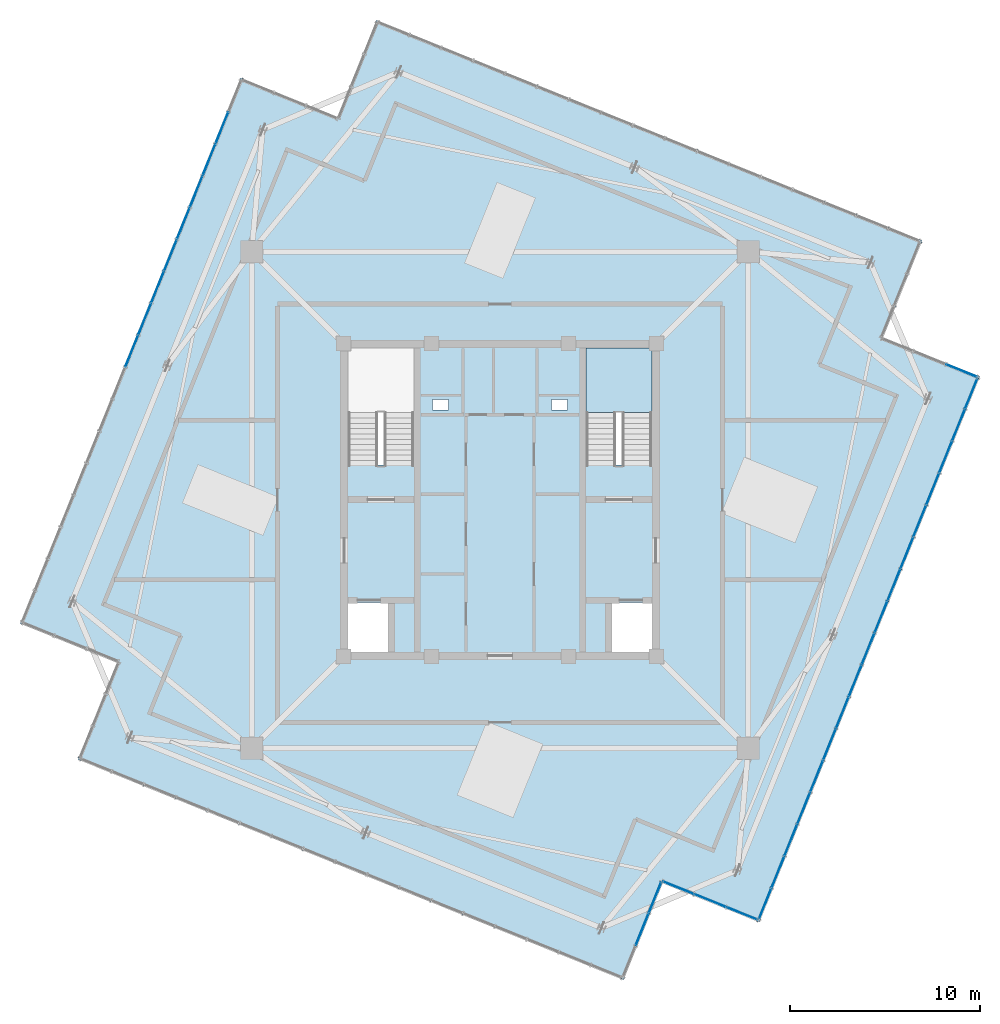
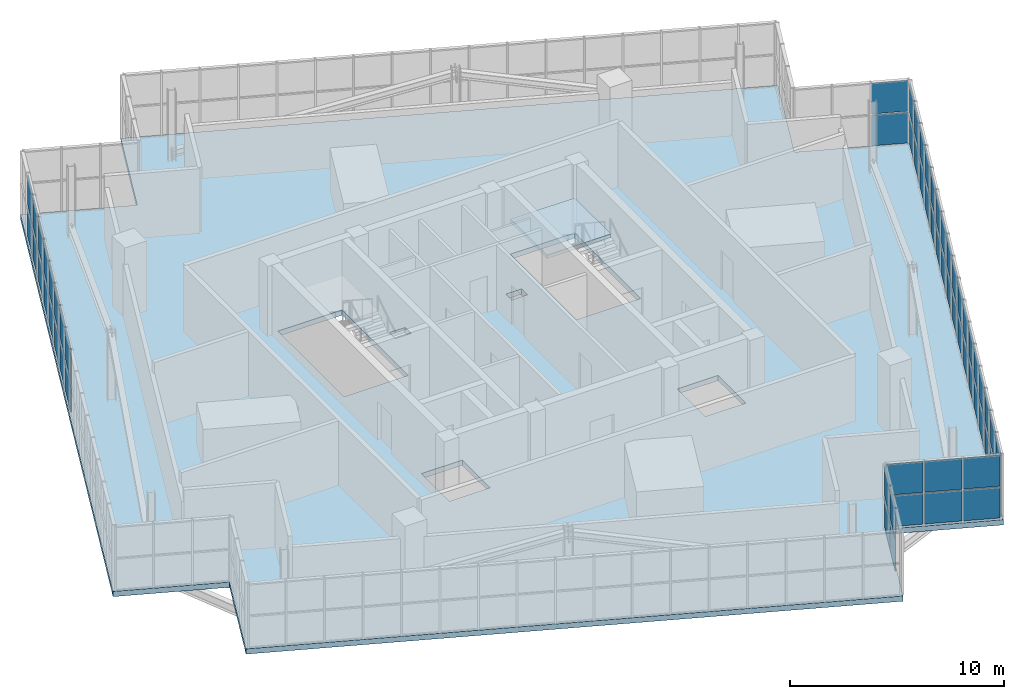
# One storey, part 19 of 26: 62 plates, 2 slabs, 6 elements without a shape of their own.
"""IFC4 building model written with IfcOpenShell, lengths in metres."""

from ifc_helpers import new_model, si_unit, direction, frame, origin, origin_2d, place, context, subcontext, project, spatial, polyline, rectangle, outline, extrude, source, transform, mapped, material, layer, layer_set, type_object, element, aggregate, save


model = new_model("IFC4")

# Units and contexts
model_context = context("Model", 3, precision=1e-05, world=origin(), true_north=direction((0.0, 1.0)))
body_context = subcontext(model_context, "Body", "Model", "MODEL_VIEW")
ifc_project = project(units=[si_unit("LENGTHUNIT", "METRE"), si_unit("AREAUNIT", "SQUARE_METRE"), si_unit("VOLUMEUNIT", "CUBIC_METRE"), si_unit("PLANEANGLEUNIT", "RADIAN"), si_unit("MASSUNIT", "GRAM", prefix="KILO"), si_unit("THERMODYNAMICTEMPERATUREUNIT", "KELVIN")], contexts=[model_context])

# Site, building, storey
site_placement = place(None, origin())
site = spatial("IfcSite", under=ifc_project, at=site_placement, CompositionType="ELEMENT")
building_placement = place(site_placement, origin())
building = spatial("IfcBuilding", under=site, at=building_placement, Name="Kosmvard Interchange Tower", CompositionType="ELEMENT")
storey_placement = place(building_placement, frame((0.0, 0.0, 337.60009765625)))
storey = spatial("IfcBuildingStorey", under=building, at=storey_placement, Name="L83", CompositionType="ELEMENT", Elevation=337.60009765625)

# Slab
ifc_material_1 = material(Name="Concrete C50/60", Category="concrete")
ifc_layer_1 = layer(ifc_material_1, 0.300048828125, Name="Concrete C50/60")
ifc_layer_set_1 = layer_set([ifc_layer_1], Name="Concrete C50/60")
slab_type_1 = type_object("IfcSlabType", Name="Crown Plant Equipment Slab 300 C50/60", PredefinedType="FLOOR", material=ifc_layer_set_1)
slab_1_placement = place(storey_placement, frame((0.0, 0.0, -0.300048828125)))
element("IfcSlab", 1, at=slab_1_placement, inside=storey, type_object=slab_type_1, Name="L83 Structural Floor Slab", PredefinedType="FLOOR", context=body_context, shape_type="SweptSolid", body=[
    extrude(outline(polyline([(13.66455078125, -22.238037109375), (25.27734375, 6.504638671875), (20.177734375, 8.56494140625), (22.238037109375, 13.66455078125), (-6.504638671875, 25.27734375), (-8.56494140625, 20.177734375), (-13.66455078125, 22.238037109375), (-25.27734375, -6.504638671875), (-20.177734375, -8.56494140625), (-22.238037109375, -13.66455078125), (6.504638671875, -25.27734375), (8.56494140625, -20.177734375), (13.66455078125, -22.238037109375)]), holes=[polyline([(-8.0, 1.8349609375), (-4.5400390625, 1.8349609375), (-4.5400390625, 8.0), (-8.0, 8.0), (-8.0, 1.8349609375)]), polyline([(4.5400390625, 1.8349609375), (8.0, 1.8349609375), (8.0, 8.0), (4.5400390625, 8.0), (4.5400390625, 1.8349609375)]), polyline([(-8.0, -8.0), (-5.800048828125, -8.0), (-5.800048828125, -5.39990234375), (-8.0, -5.39990234375), (-8.0, -8.0)]), polyline([(5.800048828125, -8.0), (8.0, -8.0), (8.0, -5.39990234375), (5.800048828125, -5.39990234375), (5.800048828125, -8.0)]), polyline([(-3.56494140625, 4.739990234375), (-2.715087890625, 4.739990234375), (-2.715087890625, 5.2900390625), (-3.56494140625, 5.2900390625), (-3.56494140625, 4.739990234375)]), polyline([(2.715087890625, 4.739990234375), (3.56494140625, 4.739990234375), (3.56494140625, 5.2900390625), (2.715087890625, 5.2900390625), (2.715087890625, 4.739990234375)])]), origin(), (0.0, 0.0, 1.0), 0.300048828125),
])

# Stair, slab
stair_type = type_object("IfcStairType", Name="Dog-Leg Core Exit Stair H4000 C50/60", PredefinedType="HALF_TURN_STAIR", material=ifc_material_1)
stair_placement = place(storey_placement, origin())
stair = element("IfcStair", 2, at=stair_placement, inside=storey, type_object=stair_type, Name="L83 Protected Exit Stair ST-2", PredefinedType="HALF_TURN_STAIR")
ifc_layer_2 = layer(ifc_material_1, 0.199951171875, Name="Concrete C50/60")
ifc_layer_set_2 = layer_set([ifc_layer_2], Name="Concrete C50/60")
slab_type_2 = type_object("IfcSlabType", Name="Stair Half-Landing Slab 200 C50/60", PredefinedType="LANDING", material=ifc_layer_set_2)
slab_2_placement = place(storey_placement, frame((0.0, 0.0, 1.7998046875)))
slab_2 = element("IfcSlab", 3, at=slab_2_placement, type_object=slab_type_2, Name="ST-2 landing 1", PredefinedType="LANDING", context=body_context, shape_type="SweptSolid", body=[
    extrude(outline(polyline([(8.0, 4.60009765625), (8.0, 8.0), (4.5400390625, 8.0), (4.5400390625, 4.60009765625), (8.0, 4.60009765625)])), origin(), (0.0, 0.0, 1.0), 0.2001953125),
])
aggregate(stair, [slab_2])

# Curtain wall, plates
ifc_material_2 = material(Name="Architectural anodised aluminium", Category="aluminium")
ifc_layer_3 = layer(ifc_material_2, 0.25, Name="Architectural anodised aluminium")
ifc_layer_set_3 = layer_set([ifc_layer_3], Name="Architectural anodised aluminium")
curtain_wall_type = type_object("IfcCurtainWallType", Name="CW-6 Illuminated Crown Lantern Curtain Wall", PredefinedType="NOTDEFINED", material=ifc_layer_set_3)
curtain_wall_1_placement = place(storey_placement, origin())
curtain_wall_1 = element("IfcCurtainWall", 4, at=curtain_wall_1_placement, inside=storey, type_object=curtain_wall_type, Name="L83 Crown Lantern Glazing Face 01", PredefinedType="NOTDEFINED")
ifc_material_3 = material(Name="Laminated acoustic lantern glazing", Category="glass")
ifc_layer_4 = layer(ifc_material_3, 0.035888671875, Name="Laminated acoustic lantern glazing")
ifc_layer_set_4 = layer_set([ifc_layer_4], Name="Laminated acoustic lantern glazing")
plate_type = type_object("IfcPlateType", Name="Lantern Diffused Illuminated Panel 36", PredefinedType="CURTAIN_PANEL", material=ifc_layer_set_4)
shared_shape_1 = source(origin(), body_context, "Body", "SweptSolid", [
    extrude(rectangle(XDim=1.694091796875, YDim=0.035888671875, at=origin_2d()), origin(), (0.0, 0.0, 1.0), 1.7451171875),
])
plate_1_placement = place(storey_placement, frame((13.967529296875, -21.2744140625, 0.06982421875), z_axis=(0.0, 0.0, 1.0), x_axis=(0.374606584758, 0.927183858065, 0.0)))
plate_1 = element("IfcPlate", 5, at=plate_1_placement, type_object=plate_type, Name="CW-6 panel 1.1", PredefinedType="CURTAIN_PANEL", context=body_context, shape_type="MappedRepresentation", body=[
    mapped(shared_shape_1, transform((0.0, 0.0, 0.0), scale=1.0)),
])
plate_2_placement = place(storey_placement, frame((13.967529296875, -21.2744140625, 1.884765625), z_axis=(0.0, 0.0, 1.0), x_axis=(0.374606584758, 0.927183858065, 0.0)))
plate_2 = element("IfcPlate", 6, at=plate_2_placement, type_object=plate_type, Name="CW-6 panel 1.2", PredefinedType="CURTAIN_PANEL", context=body_context, shape_type="MappedRepresentation", body=[
    mapped(shared_shape_1, transform((0.0, 0.0, 0.0), scale=1.0)),
])
plate_3_placement = place(storey_placement, frame((24.825927734375, 5.600830078125, 0.06982421875), z_axis=(0.0, 0.0, 1.0), x_axis=(0.374606584758, 0.927183858065, 0.0)))
plate_3 = element("IfcPlate", 7, at=plate_3_placement, type_object=plate_type, Name="CW-6 panel 17.1", PredefinedType="CURTAIN_PANEL", context=body_context, shape_type="MappedRepresentation", body=[
    mapped(shared_shape_1, transform((0.0, 0.0, 0.0), scale=1.0)),
])
plate_4_placement = place(storey_placement, frame((24.825927734375, 5.600830078125, 1.884765625), z_axis=(0.0, 0.0, 1.0), x_axis=(0.374606584758, 0.927183858065, 0.0)))
plate_4 = element("IfcPlate", 8, at=plate_4_placement, type_object=plate_type, Name="CW-6 panel 17.2", PredefinedType="CURTAIN_PANEL", context=body_context, shape_type="MappedRepresentation", body=[
    mapped(shared_shape_1, transform((0.0, 0.0, 0.0), scale=1.0)),
])
shared_shape_2 = source(origin(), body_context, "Body", "SweptSolid", [
    extrude(rectangle(XDim=1.734130859375, YDim=0.035888671875, at=origin_2d()), origin(), (0.0, 0.0, 1.0), 1.7451171875),
])
plate_5_placement = place(storey_placement, frame((14.6396484375, -19.61083984375, 0.06982421875), z_axis=(0.0, 0.0, 1.0), x_axis=(0.374606584758, 0.927183858065, 0.0)))
plate_5 = element("IfcPlate", 9, at=plate_5_placement, type_object=plate_type, Name="CW-6 panel 2.1", PredefinedType="CURTAIN_PANEL", context=body_context, shape_type="MappedRepresentation", body=[
    mapped(shared_shape_2, transform((0.0, 0.0, 0.0), scale=1.0)),
])
plate_6_placement = place(storey_placement, frame((14.6396484375, -19.61083984375, 1.884765625), z_axis=(0.0, 0.0, 1.0), x_axis=(0.374606584758, 0.927183858065, 0.0)))
plate_6 = element("IfcPlate", 10, at=plate_6_placement, type_object=plate_type, Name="CW-6 panel 2.2", PredefinedType="CURTAIN_PANEL", context=body_context, shape_type="MappedRepresentation", body=[
    mapped(shared_shape_2, transform((0.0, 0.0, 0.0), scale=1.0)),
])
plate_7_placement = place(storey_placement, frame((15.319091796875, -17.928955078125, 0.06982421875), z_axis=(0.0, 0.0, 1.0), x_axis=(0.374606584758, 0.927183858065, 0.0)))
plate_7 = element("IfcPlate", 11, at=plate_7_placement, type_object=plate_type, Name="CW-6 panel 3.1", PredefinedType="CURTAIN_PANEL", context=body_context, shape_type="MappedRepresentation", body=[
    mapped(shared_shape_2, transform((0.0, 0.0, 0.0), scale=1.0)),
])
plate_8_placement = place(storey_placement, frame((15.319091796875, -17.928955078125, 1.884765625), z_axis=(0.0, 0.0, 1.0), x_axis=(0.374606584758, 0.927183858065, 0.0)))
plate_8 = element("IfcPlate", 12, at=plate_8_placement, type_object=plate_type, Name="CW-6 panel 3.2", PredefinedType="CURTAIN_PANEL", context=body_context, shape_type="MappedRepresentation", body=[
    mapped(shared_shape_2, transform((0.0, 0.0, 0.0), scale=1.0)),
])
plate_9_placement = place(storey_placement, frame((15.998779296875, -16.246826171875, 0.06982421875), z_axis=(0.0, 0.0, 1.0), x_axis=(0.374606584758, 0.927183858065, 0.0)))
plate_9 = element("IfcPlate", 13, at=plate_9_placement, type_object=plate_type, Name="CW-6 panel 4.1", PredefinedType="CURTAIN_PANEL", context=body_context, shape_type="MappedRepresentation", body=[
    mapped(shared_shape_2, transform((0.0, 0.0, 0.0), scale=1.0)),
])
plate_10_placement = place(storey_placement, frame((15.998779296875, -16.246826171875, 1.884765625), z_axis=(0.0, 0.0, 1.0), x_axis=(0.374606584758, 0.927183858065, 0.0)))
plate_10 = element("IfcPlate", 14, at=plate_10_placement, type_object=plate_type, Name="CW-6 panel 4.2", PredefinedType="CURTAIN_PANEL", context=body_context, shape_type="MappedRepresentation", body=[
    mapped(shared_shape_2, transform((0.0, 0.0, 0.0), scale=1.0)),
])
plate_11_placement = place(storey_placement, frame((16.678466796875, -14.56494140625, 0.06982421875), z_axis=(0.0, 0.0, 1.0), x_axis=(0.374606584758, 0.927183858065, 0.0)))
plate_11 = element("IfcPlate", 15, at=plate_11_placement, type_object=plate_type, Name="CW-6 panel 5.1", PredefinedType="CURTAIN_PANEL", context=body_context, shape_type="MappedRepresentation", body=[
    mapped(shared_shape_2, transform((0.0, 0.0, 0.0), scale=1.0)),
])
plate_12_placement = place(storey_placement, frame((16.678466796875, -14.56494140625, 1.884765625), z_axis=(0.0, 0.0, 1.0), x_axis=(0.374606584758, 0.927183858065, 0.0)))
plate_12 = element("IfcPlate", 16, at=plate_12_placement, type_object=plate_type, Name="CW-6 panel 5.2", PredefinedType="CURTAIN_PANEL", context=body_context, shape_type="MappedRepresentation", body=[
    mapped(shared_shape_2, transform((0.0, 0.0, 0.0), scale=1.0)),
])
plate_13_placement = place(storey_placement, frame((17.35791015625, -12.8828125, 0.06982421875), z_axis=(0.0, 0.0, 1.0), x_axis=(0.374606584758, 0.927183858065, 0.0)))
plate_13 = element("IfcPlate", 17, at=plate_13_placement, type_object=plate_type, Name="CW-6 panel 6.1", PredefinedType="CURTAIN_PANEL", context=body_context, shape_type="MappedRepresentation", body=[
    mapped(shared_shape_2, transform((0.0, 0.0, 0.0), scale=1.0)),
])
plate_14_placement = place(storey_placement, frame((17.35791015625, -12.8828125, 1.884765625), z_axis=(0.0, 0.0, 1.0), x_axis=(0.374606584758, 0.927183858065, 0.0)))
plate_14 = element("IfcPlate", 18, at=plate_14_placement, type_object=plate_type, Name="CW-6 panel 6.2", PredefinedType="CURTAIN_PANEL", context=body_context, shape_type="MappedRepresentation", body=[
    mapped(shared_shape_2, transform((0.0, 0.0, 0.0), scale=1.0)),
])
plate_15_placement = place(storey_placement, frame((18.03759765625, -11.200927734375, 0.06982421875), z_axis=(0.0, 0.0, 1.0), x_axis=(0.374606584758, 0.927183858065, 0.0)))
plate_15 = element("IfcPlate", 19, at=plate_15_placement, type_object=plate_type, Name="CW-6 panel 7.1", PredefinedType="CURTAIN_PANEL", context=body_context, shape_type="MappedRepresentation", body=[
    mapped(shared_shape_2, transform((0.0, 0.0, 0.0), scale=1.0)),
])
plate_16_placement = place(storey_placement, frame((18.03759765625, -11.200927734375, 1.884765625), z_axis=(0.0, 0.0, 1.0), x_axis=(0.374606584758, 0.927183858065, 0.0)))
plate_16 = element("IfcPlate", 20, at=plate_16_placement, type_object=plate_type, Name="CW-6 panel 7.2", PredefinedType="CURTAIN_PANEL", context=body_context, shape_type="MappedRepresentation", body=[
    mapped(shared_shape_2, transform((0.0, 0.0, 0.0), scale=1.0)),
])
plate_17_placement = place(storey_placement, frame((18.717041015625, -9.518798828125, 0.06982421875), z_axis=(0.0, 0.0, 1.0), x_axis=(0.374606584758, 0.927183858065, 0.0)))
plate_17 = element("IfcPlate", 21, at=plate_17_placement, type_object=plate_type, Name="CW-6 panel 8.1", PredefinedType="CURTAIN_PANEL", context=body_context, shape_type="MappedRepresentation", body=[
    mapped(shared_shape_2, transform((0.0, 0.0, 0.0), scale=1.0)),
])
plate_18_placement = place(storey_placement, frame((18.717041015625, -9.518798828125, 1.884765625), z_axis=(0.0, 0.0, 1.0), x_axis=(0.374606584758, 0.927183858065, 0.0)))
plate_18 = element("IfcPlate", 22, at=plate_18_placement, type_object=plate_type, Name="CW-6 panel 8.2", PredefinedType="CURTAIN_PANEL", context=body_context, shape_type="MappedRepresentation", body=[
    mapped(shared_shape_2, transform((0.0, 0.0, 0.0), scale=1.0)),
])
plate_19_placement = place(storey_placement, frame((19.396728515625, -7.836669921875, 0.06982421875), z_axis=(0.0, 0.0, 1.0), x_axis=(0.374606584758, 0.927183858065, 0.0)))
plate_19 = element("IfcPlate", 23, at=plate_19_placement, type_object=plate_type, Name="CW-6 panel 9.1", PredefinedType="CURTAIN_PANEL", context=body_context, shape_type="MappedRepresentation", body=[
    mapped(shared_shape_2, transform((0.0, 0.0, 0.0), scale=1.0)),
])
plate_20_placement = place(storey_placement, frame((19.396728515625, -7.836669921875, 1.884765625), z_axis=(0.0, 0.0, 1.0), x_axis=(0.374606584758, 0.927183858065, 0.0)))
plate_20 = element("IfcPlate", 24, at=plate_20_placement, type_object=plate_type, Name="CW-6 panel 9.2", PredefinedType="CURTAIN_PANEL", context=body_context, shape_type="MappedRepresentation", body=[
    mapped(shared_shape_2, transform((0.0, 0.0, 0.0), scale=1.0)),
])
plate_21_placement = place(storey_placement, frame((20.076171875, -6.15478515625, 0.06982421875), z_axis=(0.0, 0.0, 1.0), x_axis=(0.374606584758, 0.927183858065, 0.0)))
plate_21 = element("IfcPlate", 25, at=plate_21_placement, type_object=plate_type, Name="CW-6 panel 10.1", PredefinedType="CURTAIN_PANEL", context=body_context, shape_type="MappedRepresentation", body=[
    mapped(shared_shape_2, transform((0.0, 0.0, 0.0), scale=1.0)),
])
plate_22_placement = place(storey_placement, frame((20.076171875, -6.15478515625, 1.884765625), z_axis=(0.0, 0.0, 1.0), x_axis=(0.374606584758, 0.927183858065, 0.0)))
plate_22 = element("IfcPlate", 26, at=plate_22_placement, type_object=plate_type, Name="CW-6 panel 10.2", PredefinedType="CURTAIN_PANEL", context=body_context, shape_type="MappedRepresentation", body=[
    mapped(shared_shape_2, transform((0.0, 0.0, 0.0), scale=1.0)),
])
plate_23_placement = place(storey_placement, frame((20.755859375, -4.47265625, 0.06982421875), z_axis=(0.0, 0.0, 1.0), x_axis=(0.374606584758, 0.927183858065, 0.0)))
plate_23 = element("IfcPlate", 27, at=plate_23_placement, type_object=plate_type, Name="CW-6 panel 11.1", PredefinedType="CURTAIN_PANEL", context=body_context, shape_type="MappedRepresentation", body=[
    mapped(shared_shape_2, transform((0.0, 0.0, 0.0), scale=1.0)),
])
plate_24_placement = place(storey_placement, frame((20.755859375, -4.47265625, 1.884765625), z_axis=(0.0, 0.0, 1.0), x_axis=(0.374606584758, 0.927183858065, 0.0)))
plate_24 = element("IfcPlate", 28, at=plate_24_placement, type_object=plate_type, Name="CW-6 panel 11.2", PredefinedType="CURTAIN_PANEL", context=body_context, shape_type="MappedRepresentation", body=[
    mapped(shared_shape_2, transform((0.0, 0.0, 0.0), scale=1.0)),
])
plate_25_placement = place(storey_placement, frame((21.435546875, -2.790771484375, 0.06982421875), z_axis=(0.0, 0.0, 1.0), x_axis=(0.374606584758, 0.927183858065, 0.0)))
plate_25 = element("IfcPlate", 29, at=plate_25_placement, type_object=plate_type, Name="CW-6 panel 12.1", PredefinedType="CURTAIN_PANEL", context=body_context, shape_type="MappedRepresentation", body=[
    mapped(shared_shape_2, transform((0.0, 0.0, 0.0), scale=1.0)),
])
plate_26_placement = place(storey_placement, frame((21.435546875, -2.790771484375, 1.884765625), z_axis=(0.0, 0.0, 1.0), x_axis=(0.374606584758, 0.927183858065, 0.0)))
plate_26 = element("IfcPlate", 30, at=plate_26_placement, type_object=plate_type, Name="CW-6 panel 12.2", PredefinedType="CURTAIN_PANEL", context=body_context, shape_type="MappedRepresentation", body=[
    mapped(shared_shape_2, transform((0.0, 0.0, 0.0), scale=1.0)),
])
plate_27_placement = place(storey_placement, frame((22.114990234375, -1.108642578125, 0.06982421875), z_axis=(0.0, 0.0, 1.0), x_axis=(0.374606584758, 0.927183858065, 0.0)))
plate_27 = element("IfcPlate", 31, at=plate_27_placement, type_object=plate_type, Name="CW-6 panel 13.1", PredefinedType="CURTAIN_PANEL", context=body_context, shape_type="MappedRepresentation", body=[
    mapped(shared_shape_2, transform((0.0, 0.0, 0.0), scale=1.0)),
])
plate_28_placement = place(storey_placement, frame((22.114990234375, -1.108642578125, 1.884765625), z_axis=(0.0, 0.0, 1.0), x_axis=(0.374606584758, 0.927183858065, 0.0)))
plate_28 = element("IfcPlate", 32, at=plate_28_placement, type_object=plate_type, Name="CW-6 panel 13.2", PredefinedType="CURTAIN_PANEL", context=body_context, shape_type="MappedRepresentation", body=[
    mapped(shared_shape_2, transform((0.0, 0.0, 0.0), scale=1.0)),
])
plate_29_placement = place(storey_placement, frame((22.794677734375, 0.5732421875, 0.06982421875), z_axis=(0.0, 0.0, 1.0), x_axis=(0.374606584758, 0.927183858065, 0.0)))
plate_29 = element("IfcPlate", 33, at=plate_29_placement, type_object=plate_type, Name="CW-6 panel 14.1", PredefinedType="CURTAIN_PANEL", context=body_context, shape_type="MappedRepresentation", body=[
    mapped(shared_shape_2, transform((0.0, 0.0, 0.0), scale=1.0)),
])
plate_30_placement = place(storey_placement, frame((22.794677734375, 0.5732421875, 1.884765625), z_axis=(0.0, 0.0, 1.0), x_axis=(0.374606584758, 0.927183858065, 0.0)))
plate_30 = element("IfcPlate", 34, at=plate_30_placement, type_object=plate_type, Name="CW-6 panel 14.2", PredefinedType="CURTAIN_PANEL", context=body_context, shape_type="MappedRepresentation", body=[
    mapped(shared_shape_2, transform((0.0, 0.0, 0.0), scale=1.0)),
])
plate_31_placement = place(storey_placement, frame((23.47412109375, 2.25537109375, 0.06982421875), z_axis=(0.0, 0.0, 1.0), x_axis=(0.374606584758, 0.927183858065, 0.0)))
plate_31 = element("IfcPlate", 35, at=plate_31_placement, type_object=plate_type, Name="CW-6 panel 15.1", PredefinedType="CURTAIN_PANEL", context=body_context, shape_type="MappedRepresentation", body=[
    mapped(shared_shape_2, transform((0.0, 0.0, 0.0), scale=1.0)),
])
plate_32_placement = place(storey_placement, frame((23.47412109375, 2.25537109375, 1.884765625), z_axis=(0.0, 0.0, 1.0), x_axis=(0.374606584758, 0.927183858065, 0.0)))
plate_32 = element("IfcPlate", 36, at=plate_32_placement, type_object=plate_type, Name="CW-6 panel 15.2", PredefinedType="CURTAIN_PANEL", context=body_context, shape_type="MappedRepresentation", body=[
    mapped(shared_shape_2, transform((0.0, 0.0, 0.0), scale=1.0)),
])
plate_33_placement = place(storey_placement, frame((24.15380859375, 3.937255859375, 0.06982421875), z_axis=(0.0, 0.0, 1.0), x_axis=(0.374606584758, 0.927183858065, 0.0)))
plate_33 = element("IfcPlate", 37, at=plate_33_placement, type_object=plate_type, Name="CW-6 panel 16.1", PredefinedType="CURTAIN_PANEL", context=body_context, shape_type="MappedRepresentation", body=[
    mapped(shared_shape_2, transform((0.0, 0.0, 0.0), scale=1.0)),
])
plate_34_placement = place(storey_placement, frame((24.15380859375, 3.937255859375, 1.884765625), z_axis=(0.0, 0.0, 1.0), x_axis=(0.374606584758, 0.927183858065, 0.0)))
plate_34 = element("IfcPlate", 38, at=plate_34_placement, type_object=plate_type, Name="CW-6 panel 16.2", PredefinedType="CURTAIN_PANEL", context=body_context, shape_type="MappedRepresentation", body=[
    mapped(shared_shape_2, transform((0.0, 0.0, 0.0), scale=1.0)),
])
aggregate(curtain_wall_1, [plate_1, plate_2, plate_5, plate_6, plate_7, plate_8, plate_9, plate_10, plate_11, plate_12, plate_13, plate_14, plate_15, plate_16, plate_17, plate_18, plate_19, plate_20, plate_21, plate_22, plate_23, plate_24, plate_25, plate_26, plate_27, plate_28, plate_29, plate_30, plate_31, plate_32, plate_33, plate_34, plate_3, plate_4])

curtain_wall_2_placement = place(storey_placement, origin())
curtain_wall_2 = element("IfcCurtainWall", 39, at=curtain_wall_2_placement, inside=storey, type_object=curtain_wall_type, Name="L83 Crown Lantern Glazing Face 07", PredefinedType="NOTDEFINED")
plate_35_placement = place(storey_placement, frame((-14.6396484375, 19.61083984375, 0.06982421875), z_axis=(0.0, 0.0, 1.0), x_axis=(-0.374606584758, -0.927183858065, 0.0)))
plate_35 = element("IfcPlate", 40, at=plate_35_placement, type_object=plate_type, Name="CW-6 panel 2.1", PredefinedType="CURTAIN_PANEL", context=body_context, shape_type="MappedRepresentation", body=[
    mapped(shared_shape_2, transform((0.0, 0.0, 0.0), scale=1.0)),
])
plate_36_placement = place(storey_placement, frame((-14.6396484375, 19.61083984375, 1.884765625), z_axis=(0.0, 0.0, 1.0), x_axis=(-0.374606584758, -0.927183858065, 0.0)))
plate_36 = element("IfcPlate", 41, at=plate_36_placement, type_object=plate_type, Name="CW-6 panel 2.2", PredefinedType="CURTAIN_PANEL", context=body_context, shape_type="MappedRepresentation", body=[
    mapped(shared_shape_2, transform((0.0, 0.0, 0.0), scale=1.0)),
])
plate_37_placement = place(storey_placement, frame((-15.319091796875, 17.928955078125, 0.06982421875), z_axis=(0.0, 0.0, 1.0), x_axis=(-0.374606584758, -0.927183858065, 0.0)))
plate_37 = element("IfcPlate", 42, at=plate_37_placement, type_object=plate_type, Name="CW-6 panel 3.1", PredefinedType="CURTAIN_PANEL", context=body_context, shape_type="MappedRepresentation", body=[
    mapped(shared_shape_2, transform((0.0, 0.0, 0.0), scale=1.0)),
])
plate_38_placement = place(storey_placement, frame((-15.319091796875, 17.928955078125, 1.884765625), z_axis=(0.0, 0.0, 1.0), x_axis=(-0.374606584758, -0.927183858065, 0.0)))
plate_38 = element("IfcPlate", 43, at=plate_38_placement, type_object=plate_type, Name="CW-6 panel 3.2", PredefinedType="CURTAIN_PANEL", context=body_context, shape_type="MappedRepresentation", body=[
    mapped(shared_shape_2, transform((0.0, 0.0, 0.0), scale=1.0)),
])
plate_39_placement = place(storey_placement, frame((-15.998779296875, 16.246826171875, 0.06982421875), z_axis=(0.0, 0.0, 1.0), x_axis=(-0.374606584758, -0.927183858065, 0.0)))
plate_39 = element("IfcPlate", 44, at=plate_39_placement, type_object=plate_type, Name="CW-6 panel 4.1", PredefinedType="CURTAIN_PANEL", context=body_context, shape_type="MappedRepresentation", body=[
    mapped(shared_shape_2, transform((0.0, 0.0, 0.0), scale=1.0)),
])
plate_40_placement = place(storey_placement, frame((-15.998779296875, 16.246826171875, 1.884765625), z_axis=(0.0, 0.0, 1.0), x_axis=(-0.374606584758, -0.927183858065, 0.0)))
plate_40 = element("IfcPlate", 45, at=plate_40_placement, type_object=plate_type, Name="CW-6 panel 4.2", PredefinedType="CURTAIN_PANEL", context=body_context, shape_type="MappedRepresentation", body=[
    mapped(shared_shape_2, transform((0.0, 0.0, 0.0), scale=1.0)),
])
plate_41_placement = place(storey_placement, frame((-16.678466796875, 14.56494140625, 0.06982421875), z_axis=(0.0, 0.0, 1.0), x_axis=(-0.374606584758, -0.927183858065, 0.0)))
plate_41 = element("IfcPlate", 46, at=plate_41_placement, type_object=plate_type, Name="CW-6 panel 5.1", PredefinedType="CURTAIN_PANEL", context=body_context, shape_type="MappedRepresentation", body=[
    mapped(shared_shape_2, transform((0.0, 0.0, 0.0), scale=1.0)),
])
plate_42_placement = place(storey_placement, frame((-16.678466796875, 14.56494140625, 1.884765625), z_axis=(0.0, 0.0, 1.0), x_axis=(-0.374606584758, -0.927183858065, 0.0)))
plate_42 = element("IfcPlate", 47, at=plate_42_placement, type_object=plate_type, Name="CW-6 panel 5.2", PredefinedType="CURTAIN_PANEL", context=body_context, shape_type="MappedRepresentation", body=[
    mapped(shared_shape_2, transform((0.0, 0.0, 0.0), scale=1.0)),
])
plate_43_placement = place(storey_placement, frame((-17.35791015625, 12.8828125, 0.06982421875), z_axis=(0.0, 0.0, 1.0), x_axis=(-0.374606584758, -0.927183858065, 0.0)))
plate_43 = element("IfcPlate", 48, at=plate_43_placement, type_object=plate_type, Name="CW-6 panel 6.1", PredefinedType="CURTAIN_PANEL", context=body_context, shape_type="MappedRepresentation", body=[
    mapped(shared_shape_2, transform((0.0, 0.0, 0.0), scale=1.0)),
])
plate_44_placement = place(storey_placement, frame((-17.35791015625, 12.8828125, 1.884765625), z_axis=(0.0, 0.0, 1.0), x_axis=(-0.374606584758, -0.927183858065, 0.0)))
plate_44 = element("IfcPlate", 49, at=plate_44_placement, type_object=plate_type, Name="CW-6 panel 6.2", PredefinedType="CURTAIN_PANEL", context=body_context, shape_type="MappedRepresentation", body=[
    mapped(shared_shape_2, transform((0.0, 0.0, 0.0), scale=1.0)),
])
plate_45_placement = place(storey_placement, frame((-18.03759765625, 11.200927734375, 0.06982421875), z_axis=(0.0, 0.0, 1.0), x_axis=(-0.374606584758, -0.927183858065, 0.0)))
plate_45 = element("IfcPlate", 50, at=plate_45_placement, type_object=plate_type, Name="CW-6 panel 7.1", PredefinedType="CURTAIN_PANEL", context=body_context, shape_type="MappedRepresentation", body=[
    mapped(shared_shape_2, transform((0.0, 0.0, 0.0), scale=1.0)),
])
plate_46_placement = place(storey_placement, frame((-18.03759765625, 11.200927734375, 1.884765625), z_axis=(0.0, 0.0, 1.0), x_axis=(-0.374606584758, -0.927183858065, 0.0)))
plate_46 = element("IfcPlate", 51, at=plate_46_placement, type_object=plate_type, Name="CW-6 panel 7.2", PredefinedType="CURTAIN_PANEL", context=body_context, shape_type="MappedRepresentation", body=[
    mapped(shared_shape_2, transform((0.0, 0.0, 0.0), scale=1.0)),
])
plate_47_placement = place(storey_placement, frame((-18.717041015625, 9.518798828125, 0.06982421875), z_axis=(0.0, 0.0, 1.0), x_axis=(-0.374606584758, -0.927183858065, 0.0)))
plate_47 = element("IfcPlate", 52, at=plate_47_placement, type_object=plate_type, Name="CW-6 panel 8.1", PredefinedType="CURTAIN_PANEL", context=body_context, shape_type="MappedRepresentation", body=[
    mapped(shared_shape_2, transform((0.0, 0.0, 0.0), scale=1.0)),
])
plate_48_placement = place(storey_placement, frame((-18.717041015625, 9.518798828125, 1.884765625), z_axis=(0.0, 0.0, 1.0), x_axis=(-0.374606584758, -0.927183858065, 0.0)))
plate_48 = element("IfcPlate", 53, at=plate_48_placement, type_object=plate_type, Name="CW-6 panel 8.2", PredefinedType="CURTAIN_PANEL", context=body_context, shape_type="MappedRepresentation", body=[
    mapped(shared_shape_2, transform((0.0, 0.0, 0.0), scale=1.0)),
])
plate_49_placement = place(storey_placement, frame((-19.396728515625, 7.836669921875, 0.06982421875), z_axis=(0.0, 0.0, 1.0), x_axis=(-0.374606584758, -0.927183858065, 0.0)))
plate_49 = element("IfcPlate", 54, at=plate_49_placement, type_object=plate_type, Name="CW-6 panel 9.1", PredefinedType="CURTAIN_PANEL", context=body_context, shape_type="MappedRepresentation", body=[
    mapped(shared_shape_2, transform((0.0, 0.0, 0.0), scale=1.0)),
])
plate_50_placement = place(storey_placement, frame((-19.396728515625, 7.836669921875, 1.884765625), z_axis=(0.0, 0.0, 1.0), x_axis=(-0.374606584758, -0.927183858065, 0.0)))
plate_50 = element("IfcPlate", 55, at=plate_50_placement, type_object=plate_type, Name="CW-6 panel 9.2", PredefinedType="CURTAIN_PANEL", context=body_context, shape_type="MappedRepresentation", body=[
    mapped(shared_shape_2, transform((0.0, 0.0, 0.0), scale=1.0)),
])
aggregate(curtain_wall_2, [plate_35, plate_36, plate_37, plate_38, plate_39, plate_40, plate_41, plate_42, plate_43, plate_44, plate_45, plate_46, plate_47, plate_48, plate_49, plate_50])

curtain_wall_3_placement = place(storey_placement, origin())
curtain_wall_3 = element("IfcCurtainWall", 56, at=curtain_wall_3_placement, inside=storey, type_object=curtain_wall_type, Name="L83 Crown Lantern Glazing Face 02", PredefinedType="NOTDEFINED")
shared_shape_3 = source(origin(), body_context, "Body", "SweptSolid", [
    extrude(rectangle(XDim=1.71337890625, YDim=0.035888671875, at=origin_2d()), origin(), (0.0, 0.0, 1.0), 1.7451171875),
])
plate_51_placement = place(storey_placement, frame((24.3046875, 6.811279296875, 0.06982421875), z_axis=(0.0, 0.0, 1.0), x_axis=(-0.92718386612, 0.374606564822, 0.0)))
plate_51 = element("IfcPlate", 57, at=plate_51_placement, type_object=plate_type, Name="CW-6 panel 1.1", PredefinedType="CURTAIN_PANEL", context=body_context, shape_type="MappedRepresentation", body=[
    mapped(shared_shape_3, transform((0.0, 0.0, 0.0), scale=1.0)),
])
plate_52_placement = place(storey_placement, frame((24.3046875, 6.811279296875, 1.884765625), z_axis=(0.0, 0.0, 1.0), x_axis=(-0.92718386612, 0.374606564822, 0.0)))
plate_52 = element("IfcPlate", 58, at=plate_52_placement, type_object=plate_type, Name="CW-6 panel 1.2", PredefinedType="CURTAIN_PANEL", context=body_context, shape_type="MappedRepresentation", body=[
    mapped(shared_shape_3, transform((0.0, 0.0, 0.0), scale=1.0)),
])
aggregate(curtain_wall_3, [plate_51, plate_52])

curtain_wall_4_placement = place(storey_placement, origin())
curtain_wall_4 = element("IfcCurtainWall", 59, at=curtain_wall_4_placement, inside=storey, type_object=curtain_wall_type, Name="L83 Crown Lantern Glazing Face 11", PredefinedType="NOTDEFINED")
plate_53_placement = place(storey_placement, frame((8.169921875, -20.942138671875, 0.06982421875), z_axis=(0.0, 0.0, 1.0), x_axis=(0.374606564822, 0.92718386612, 0.0)))
plate_53 = element("IfcPlate", 60, at=plate_53_placement, type_object=plate_type, Name="CW-6 panel 3.1", PredefinedType="CURTAIN_PANEL", context=body_context, shape_type="MappedRepresentation", body=[
    mapped(shared_shape_3, transform((0.0, 0.0, 0.0), scale=1.0)),
])
plate_54_placement = place(storey_placement, frame((8.169921875, -20.942138671875, 1.884765625), z_axis=(0.0, 0.0, 1.0), x_axis=(0.374606564822, 0.92718386612, 0.0)))
plate_54 = element("IfcPlate", 61, at=plate_54_placement, type_object=plate_type, Name="CW-6 panel 3.2", PredefinedType="CURTAIN_PANEL", context=body_context, shape_type="MappedRepresentation", body=[
    mapped(shared_shape_3, transform((0.0, 0.0, 0.0), scale=1.0)),
])

curtain_wall_5_placement = place(storey_placement, origin())
curtain_wall_5 = element("IfcCurtainWall", 62, at=curtain_wall_5_placement, inside=storey, type_object=curtain_wall_type, Name="L83 Crown Lantern Glazing Face 12", PredefinedType="NOTDEFINED")
plate_55_placement = place(storey_placement, frame((9.38916015625, -20.424560546875, 0.06982421875), z_axis=(0.0, 0.0, 1.0), x_axis=(0.927183891631, -0.374606501678, 0.0)))
plate_55 = element("IfcPlate", 63, at=plate_55_placement, type_object=plate_type, Name="CW-6 panel 1.1", PredefinedType="CURTAIN_PANEL", context=body_context, shape_type="MappedRepresentation", body=[
    mapped(shared_shape_3, transform((0.0, 0.0, 0.0), scale=1.0)),
])
plate_56_placement = place(storey_placement, frame((9.38916015625, -20.424560546875, 1.884765625), z_axis=(0.0, 0.0, 1.0), x_axis=(0.927183891631, -0.374606501678, 0.0)))
plate_56 = element("IfcPlate", 64, at=plate_56_placement, type_object=plate_type, Name="CW-6 panel 1.2", PredefinedType="CURTAIN_PANEL", context=body_context, shape_type="MappedRepresentation", body=[
    mapped(shared_shape_3, transform((0.0, 0.0, 0.0), scale=1.0)),
])
plate_57_placement = place(storey_placement, frame((12.751708984375, -21.782958984375, 0.06982421875), z_axis=(0.0, 0.0, 1.0), x_axis=(0.927183891631, -0.374606501678, 0.0)))
plate_57 = element("IfcPlate", 65, at=plate_57_placement, type_object=plate_type, Name="CW-6 panel 3.1", PredefinedType="CURTAIN_PANEL", context=body_context, shape_type="MappedRepresentation", body=[
    mapped(shared_shape_3, transform((0.0, 0.0, 0.0), scale=1.0)),
])
plate_58_placement = place(storey_placement, frame((12.751708984375, -21.782958984375, 1.884765625), z_axis=(0.0, 0.0, 1.0), x_axis=(0.927183891631, -0.374606501678, 0.0)))
plate_58 = element("IfcPlate", 66, at=plate_58_placement, type_object=plate_type, Name="CW-6 panel 3.2", PredefinedType="CURTAIN_PANEL", context=body_context, shape_type="MappedRepresentation", body=[
    mapped(shared_shape_3, transform((0.0, 0.0, 0.0), scale=1.0)),
])

# Plate
shared_shape_4 = source(origin(), body_context, "Body", "SweptSolid", [
    extrude(rectangle(XDim=1.75341796875, YDim=0.035888671875, at=origin_2d()), origin(), (0.0, 0.0, 1.0), 1.7451171875),
])
plate_59_placement = place(storey_placement, frame((7.490478515625, -22.623291015625, 0.06982421875), z_axis=(0.0, 0.0, 1.0), x_axis=(0.374606564822, 0.92718386612, 0.0)))
plate_59 = element("IfcPlate", 67, at=plate_59_placement, type_object=plate_type, Name="CW-6 panel 2.1", PredefinedType="CURTAIN_PANEL", context=body_context, shape_type="MappedRepresentation", body=[
    mapped(shared_shape_4, transform((0.0, 0.0, 0.0), scale=1.0)),
])

plate_60_placement = place(storey_placement, frame((7.490478515625, -22.623291015625, 1.884765625), z_axis=(0.0, 0.0, 1.0), x_axis=(0.374606564822, 0.92718386612, 0.0)))
plate_60 = element("IfcPlate", 68, at=plate_60_placement, type_object=plate_type, Name="CW-6 panel 2.2", PredefinedType="CURTAIN_PANEL", context=body_context, shape_type="MappedRepresentation", body=[
    mapped(shared_shape_4, transform((0.0, 0.0, 0.0), scale=1.0)),
])

aggregate(curtain_wall_4, [plate_59, plate_60, plate_53, plate_54])

plate_61_placement = place(storey_placement, frame((11.070556640625, -21.103759765625, 0.06982421875), z_axis=(0.0, 0.0, 1.0), x_axis=(0.927183891631, -0.374606501678, 0.0)))
plate_61 = element("IfcPlate", 69, at=plate_61_placement, type_object=plate_type, Name="CW-6 panel 2.1", PredefinedType="CURTAIN_PANEL", context=body_context, shape_type="MappedRepresentation", body=[
    mapped(shared_shape_4, transform((0.0, 0.0, 0.0), scale=1.0)),
])

plate_62_placement = place(storey_placement, frame((11.070556640625, -21.103759765625, 1.884765625), z_axis=(0.0, 0.0, 1.0), x_axis=(0.927183891631, -0.374606501678, 0.0)))
plate_62 = element("IfcPlate", 70, at=plate_62_placement, type_object=plate_type, Name="CW-6 panel 2.2", PredefinedType="CURTAIN_PANEL", context=body_context, shape_type="MappedRepresentation", body=[
    mapped(shared_shape_4, transform((0.0, 0.0, 0.0), scale=1.0)),
])

aggregate(curtain_wall_5, [plate_55, plate_56, plate_61, plate_62, plate_57, plate_58])

save(model, "model.ifc")
